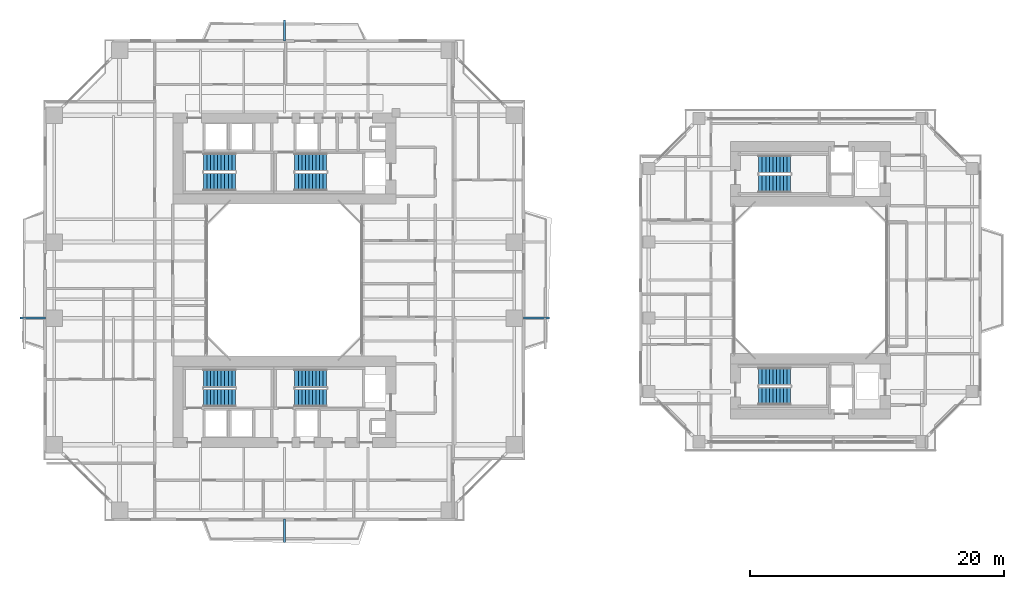
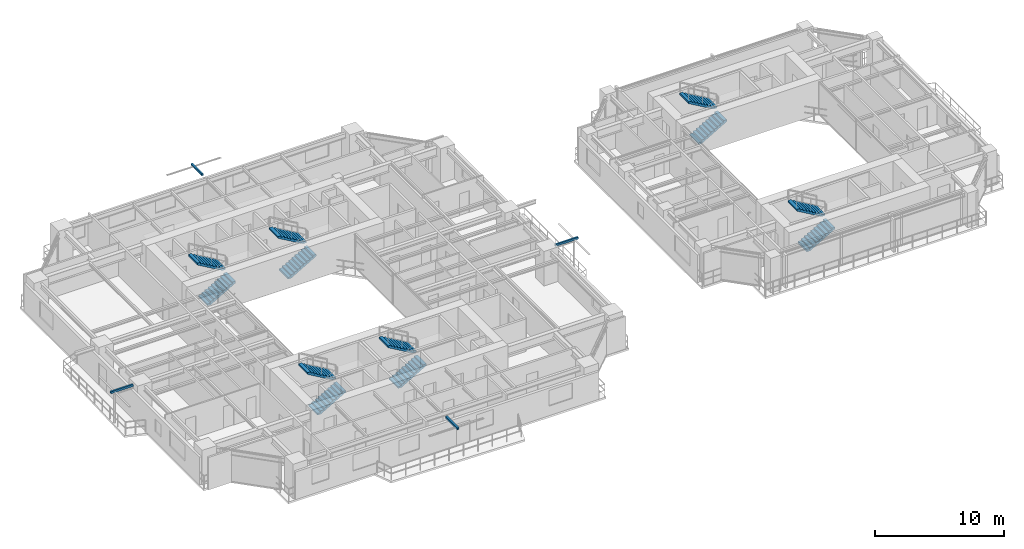
# One storey, part 18 of 23: 12 stair flights, 4 discrete accessories, 6 elements without a shape of their own.
"""IFC4 building model written with IfcOpenShell, lengths in metres."""

from ifc_helpers import new_model, si_unit, direction, frame, origin, origin_2d, place, context, subcontext, project, spatial, polyline, rectangle, outline, extrude, source, transform, mapped, material, type_object, element, aggregate, save


model = new_model("IFC4")

# Units and contexts
model_context = context("Model", 3, precision=1e-05, world=origin(), true_north=direction((0.0, 1.0)))
body_context = subcontext(model_context, "Body", "Model", "MODEL_VIEW")
ifc_project = project(units=[si_unit("LENGTHUNIT", "METRE"), si_unit("AREAUNIT", "SQUARE_METRE"), si_unit("VOLUMEUNIT", "CUBIC_METRE"), si_unit("PLANEANGLEUNIT", "RADIAN"), si_unit("MASSUNIT", "GRAM", prefix="KILO"), si_unit("THERMODYNAMICTEMPERATUREUNIT", "KELVIN"), si_unit("POWERUNIT", "WATT")], contexts=[model_context])

# Site, building, storey
site_placement = place(None, origin())
site = spatial("IfcSite", under=ifc_project, at=site_placement, CompositionType="ELEMENT")
building_placement = place(site_placement, origin())
building = spatial("IfcBuilding", under=site, at=building_placement, Name="Qiaomeng Ring Towers", CompositionType="ELEMENT")
storey_placement = place(building_placement, frame((0.0, 0.0, 29.5)))
storey = spatial("IfcBuildingStorey", under=building, at=storey_placement, Name="L07", CompositionType="ELEMENT", Elevation=29.5)

# Stair, stair flights
ifc_material_1 = material(Name="Precast concrete C40", Category="concrete")
stair_type = type_object("IfcStairType", Name="ARC-ST-325", PredefinedType="HALF_TURN_STAIR", material=ifc_material_1)
stair_1_placement = place(storey_placement, origin())
stair_1 = element("IfcStair", 1, at=stair_1_placement, inside=storey, type_object=stair_type, Name="L07 Tower 1 North Stair 1", PredefinedType="HALF_TURN_STAIR")
stair_flight_type = type_object("IfcStairFlightType", Name="ARC-ST-325-FL", PredefinedType="STRAIGHT", material=ifc_material_1)
shared_shape_1 = source(origin(), body_context, "Body", "SweptSolid", [
    extrude(outline(polyline([(0.0, 0.0), (0.0, 0.16259765625), (0.280029296875, 0.16259765625), (0.280029296875, 0.324951171875), (0.56005859375, 0.324951171875), (0.56005859375, 0.487548828125), (0.840087890625, 0.487548828125), (0.840087890625, 0.64990234375), (1.1201171875, 0.64990234375), (1.1201171875, 0.8125), (1.39990234375, 0.8125), (1.39990234375, 0.97509765625), (1.679931640625, 0.97509765625), (1.679931640625, 1.137451171875), (1.9599609375, 1.137451171875), (1.9599609375, 1.300048828125), (2.239990234375, 1.300048828125), (2.239990234375, 1.46240234375), (2.52001953125, 1.46240234375), (2.52001953125, 1.625), (2.52001953125, 1.2890625), (0.298583984375, 0.0), (0.0, 0.0)])), frame((0.0, 0.699951171875, 0.0), z_axis=(0.0, -1.0, 0.0), x_axis=(1.0, 0.0, 0.0)), (0.0, 0.0, 1.0), 1.39990234375),
])
stair_flight_1_placement = place(storey_placement, frame((12.6201171875, 30.75, 0.0), z_axis=(0.0, 0.0, 1.0), x_axis=(1.0, 0.0, 0.0)))
stair_flight_1 = element("IfcStairFlight", 2, at=stair_flight_1_placement, type_object=stair_flight_type, Name="ST1 flight 1", NumberOfRisers=10, NumberOfTreads=9, PredefinedType="STRAIGHT", RiserHeight=0.1625, TreadLength=0.28, context=body_context, shape_type="MappedRepresentation", body=[
    mapped(shared_shape_1, transform((0.0, 0.0, 0.0), x_axis=(1.0, 0.0, 0.0), y_axis=(0.0, 1.0, 0.0), z_axis=(0.0, 0.0, 1.0), scale=1.0)),
])
stair_flight_2_placement = place(storey_placement, frame((15.139892578125, 32.2900390625, 1.625), z_axis=(0.0, 0.0, 1.0), x_axis=(-1.0, 0.0, 0.0)))
stair_flight_2 = element("IfcStairFlight", 3, at=stair_flight_2_placement, type_object=stair_flight_type, Name="ST1 flight 2", NumberOfRisers=10, NumberOfTreads=9, PredefinedType="STRAIGHT", RiserHeight=0.1625, TreadLength=0.28, context=body_context, shape_type="MappedRepresentation", body=[
    mapped(shared_shape_1, transform((0.0, 0.0, 0.0), x_axis=(1.0, 0.0, 0.0), y_axis=(0.0, 1.0, 0.0), z_axis=(0.0, 0.0, 1.0), scale=1.0)),
])
aggregate(stair_1, [stair_flight_1, stair_flight_2])

stair_2_placement = place(storey_placement, origin())
stair_2 = element("IfcStair", 4, at=stair_2_placement, inside=storey, type_object=stair_type, Name="L07 Tower 1 North Stair 2", PredefinedType="HALF_TURN_STAIR")
stair_flight_3_placement = place(storey_placement, frame((19.820068359375, 30.75, 0.0), z_axis=(0.0, 0.0, 1.0), x_axis=(1.0, 0.0, 0.0)))
stair_flight_3 = element("IfcStairFlight", 5, at=stair_flight_3_placement, type_object=stair_flight_type, Name="ST2 flight 1", NumberOfRisers=10, NumberOfTreads=9, PredefinedType="STRAIGHT", RiserHeight=0.1625, TreadLength=0.28, context=body_context, shape_type="MappedRepresentation", body=[
    mapped(shared_shape_1, transform((0.0, 0.0, 0.0), x_axis=(1.0, 0.0, 0.0), y_axis=(0.0, 1.0, 0.0), z_axis=(0.0, 0.0, 1.0), scale=1.0)),
])
stair_flight_4_placement = place(storey_placement, frame((22.340087890625, 32.2900390625, 1.625), z_axis=(0.0, 0.0, 1.0), x_axis=(-1.0, 0.0, 0.0)))
stair_flight_4 = element("IfcStairFlight", 6, at=stair_flight_4_placement, type_object=stair_flight_type, Name="ST2 flight 2", NumberOfRisers=10, NumberOfTreads=9, PredefinedType="STRAIGHT", RiserHeight=0.1625, TreadLength=0.28, context=body_context, shape_type="MappedRepresentation", body=[
    mapped(shared_shape_1, transform((0.0, 0.0, 0.0), x_axis=(1.0, 0.0, 0.0), y_axis=(0.0, 1.0, 0.0), z_axis=(0.0, 0.0, 1.0), scale=1.0)),
])
aggregate(stair_2, [stair_flight_3, stair_flight_4])

stair_3_placement = place(storey_placement, origin())
stair_3 = element("IfcStair", 7, at=stair_3_placement, inside=storey, type_object=stair_type, Name="L07 Tower 1 South Stair 3", PredefinedType="HALF_TURN_STAIR")
stair_flight_5_placement = place(storey_placement, frame((12.6201171875, 13.7099609375, 0.0), z_axis=(0.0, 0.0, 1.0), x_axis=(1.0, 0.0, 0.0)))
stair_flight_5 = element("IfcStairFlight", 8, at=stair_flight_5_placement, type_object=stair_flight_type, Name="ST3 flight 1", NumberOfRisers=10, NumberOfTreads=9, PredefinedType="STRAIGHT", RiserHeight=0.1625, TreadLength=0.28, context=body_context, shape_type="MappedRepresentation", body=[
    mapped(shared_shape_1, transform((0.0, 0.0, 0.0), x_axis=(1.0, 0.0, 0.0), y_axis=(0.0, 1.0, 0.0), z_axis=(0.0, 0.0, 1.0), scale=1.0)),
])
stair_flight_6_placement = place(storey_placement, frame((15.139892578125, 15.25, 1.625), z_axis=(0.0, 0.0, 1.0), x_axis=(-1.0, 0.0, 0.0)))
stair_flight_6 = element("IfcStairFlight", 9, at=stair_flight_6_placement, type_object=stair_flight_type, Name="ST3 flight 2", NumberOfRisers=10, NumberOfTreads=9, PredefinedType="STRAIGHT", RiserHeight=0.1625, TreadLength=0.28, context=body_context, shape_type="MappedRepresentation", body=[
    mapped(shared_shape_1, transform((0.0, 0.0, 0.0), x_axis=(1.0, 0.0, 0.0), y_axis=(0.0, 1.0, 0.0), z_axis=(0.0, 0.0, 1.0), scale=1.0)),
])
aggregate(stair_3, [stair_flight_5, stair_flight_6])

stair_4_placement = place(storey_placement, origin())
stair_4 = element("IfcStair", 10, at=stair_4_placement, inside=storey, type_object=stair_type, Name="L07 Tower 1 South Stair 4", PredefinedType="HALF_TURN_STAIR")
stair_flight_7_placement = place(storey_placement, frame((19.820068359375, 13.7099609375, 0.0), z_axis=(0.0, 0.0, 1.0), x_axis=(1.0, 0.0, 0.0)))
stair_flight_7 = element("IfcStairFlight", 11, at=stair_flight_7_placement, type_object=stair_flight_type, Name="ST4 flight 1", NumberOfRisers=10, NumberOfTreads=9, PredefinedType="STRAIGHT", RiserHeight=0.1625, TreadLength=0.28, context=body_context, shape_type="MappedRepresentation", body=[
    mapped(shared_shape_1, transform((0.0, 0.0, 0.0), x_axis=(1.0, 0.0, 0.0), y_axis=(0.0, 1.0, 0.0), z_axis=(0.0, 0.0, 1.0), scale=1.0)),
])
stair_flight_8_placement = place(storey_placement, frame((22.340087890625, 15.25, 1.625), z_axis=(0.0, 0.0, 1.0), x_axis=(-1.0, 0.0, 0.0)))
stair_flight_8 = element("IfcStairFlight", 12, at=stair_flight_8_placement, type_object=stair_flight_type, Name="ST4 flight 2", NumberOfRisers=10, NumberOfTreads=9, PredefinedType="STRAIGHT", RiserHeight=0.1625, TreadLength=0.28, context=body_context, shape_type="MappedRepresentation", body=[
    mapped(shared_shape_1, transform((0.0, 0.0, 0.0), x_axis=(1.0, 0.0, 0.0), y_axis=(0.0, 1.0, 0.0), z_axis=(0.0, 0.0, 1.0), scale=1.0)),
])
aggregate(stair_4, [stair_flight_7, stair_flight_8])

stair_5_placement = place(storey_placement, origin())
stair_5 = element("IfcStair", 13, at=stair_5_placement, inside=storey, type_object=stair_type, Name="L07 Companion North Stair 5", PredefinedType="HALF_TURN_STAIR")
stair_flight_9_placement = place(storey_placement, frame((56.419921875, 30.60009765625, 0.0), z_axis=(0.0, 0.0, 1.0), x_axis=(1.0, 0.0, 0.0)))
stair_flight_9 = element("IfcStairFlight", 14, at=stair_flight_9_placement, type_object=stair_flight_type, Name="ST5 flight 1", NumberOfRisers=10, NumberOfTreads=9, PredefinedType="STRAIGHT", RiserHeight=0.1625, TreadLength=0.28, context=body_context, shape_type="MappedRepresentation", body=[
    mapped(shared_shape_1, transform((0.0, 0.0, 0.0), x_axis=(1.0, 0.0, 0.0), y_axis=(0.0, 1.0, 0.0), z_axis=(0.0, 0.0, 1.0), scale=1.0)),
])
stair_flight_10_placement = place(storey_placement, frame((58.93994140625, 32.139892578125, 1.625), z_axis=(0.0, 0.0, 1.0), x_axis=(-1.0, 0.0, 0.0)))
stair_flight_10 = element("IfcStairFlight", 15, at=stair_flight_10_placement, type_object=stair_flight_type, Name="ST5 flight 2", NumberOfRisers=10, NumberOfTreads=9, PredefinedType="STRAIGHT", RiserHeight=0.1625, TreadLength=0.28, context=body_context, shape_type="MappedRepresentation", body=[
    mapped(shared_shape_1, transform((0.0, 0.0, 0.0), x_axis=(1.0, 0.0, 0.0), y_axis=(0.0, 1.0, 0.0), z_axis=(0.0, 0.0, 1.0), scale=1.0)),
])
aggregate(stair_5, [stair_flight_9, stair_flight_10])

stair_6_placement = place(storey_placement, origin())
stair_6 = element("IfcStair", 16, at=stair_6_placement, inside=storey, type_object=stair_type, Name="L07 Companion South Stair 6", PredefinedType="HALF_TURN_STAIR")
stair_flight_11_placement = place(storey_placement, frame((56.419921875, 13.860107421875, 0.0), z_axis=(0.0, 0.0, 1.0), x_axis=(1.0, 0.0, 0.0)))
stair_flight_11 = element("IfcStairFlight", 17, at=stair_flight_11_placement, type_object=stair_flight_type, Name="ST6 flight 1", NumberOfRisers=10, NumberOfTreads=9, PredefinedType="STRAIGHT", RiserHeight=0.1625, TreadLength=0.28, context=body_context, shape_type="MappedRepresentation", body=[
    mapped(shared_shape_1, transform((0.0, 0.0, 0.0), x_axis=(1.0, 0.0, 0.0), y_axis=(0.0, 1.0, 0.0), z_axis=(0.0, 0.0, 1.0), scale=1.0)),
])
stair_flight_12_placement = place(storey_placement, frame((58.93994140625, 15.39990234375, 1.625), z_axis=(0.0, 0.0, 1.0), x_axis=(-1.0, 0.0, 0.0)))
stair_flight_12 = element("IfcStairFlight", 18, at=stair_flight_12_placement, type_object=stair_flight_type, Name="ST6 flight 2", NumberOfRisers=10, NumberOfTreads=9, PredefinedType="STRAIGHT", RiserHeight=0.1625, TreadLength=0.28, context=body_context, shape_type="MappedRepresentation", body=[
    mapped(shared_shape_1, transform((0.0, 0.0, 0.0), x_axis=(1.0, 0.0, 0.0), y_axis=(0.0, 1.0, 0.0), z_axis=(0.0, 0.0, 1.0), scale=1.0)),
])
aggregate(stair_6, [stair_flight_11, stair_flight_12])

# Discrete accessories
ifc_material_2 = material(Name="Stainless steel 316", Category="steel")
discrete_accessory_type = type_object("IfcDiscreteAccessoryType", Name="ARC-ACC-BRACKET", PredefinedType="BRACKET", material=ifc_material_2)
shared_shape_2 = source(origin(), body_context, "Body", "SweptSolid", [
    extrude(rectangle(XDim=0.159912109375, YDim=1.85009765625, at=origin_2d()), origin(), (0.0, 0.0, 1.0), 0.179931640625),
])
discrete_accessory_1_placement = place(storey_placement, frame((19.0, 3.22509765625, 2.89990234375), z_axis=(0.0, 0.0, 1.0), x_axis=(1.0, 0.0, 0.0)))
element("IfcDiscreteAccessory", 19, at=discrete_accessory_1_placement, inside=storey, type_object=discrete_accessory_type, Name="L07 Stainless Outer-Skin Tie Bracket S", PredefinedType="BRACKET", context=body_context, shape_type="MappedRepresentation", body=[
    mapped(shared_shape_2, transform((0.0, 0.0, 0.0), x_axis=(1.0, 0.0, 0.0), y_axis=(0.0, 1.0, 0.0), z_axis=(0.0, 0.0, 1.0), scale=1.0)),
])
shared_shape_3 = source(origin(), body_context, "Body", "SweptSolid", [
    extrude(rectangle(XDim=0.159912109375, YDim=1.669921875, at=origin_2d()), origin(), (0.0, 0.0, 1.0), 0.179931640625),
])
discrete_accessory_2_placement = place(storey_placement, frame((19.0, 42.68505859375, 2.89990234375), z_axis=(0.0, 0.0, 1.0), x_axis=(1.0, 0.0, 0.0)))
element("IfcDiscreteAccessory", 20, at=discrete_accessory_2_placement, inside=storey, type_object=discrete_accessory_type, Name="L07 Stainless Outer-Skin Tie Bracket N", PredefinedType="BRACKET", context=body_context, shape_type="MappedRepresentation", body=[
    mapped(shared_shape_3, transform((0.0, 0.0, 0.0), x_axis=(1.0, 0.0, 0.0), y_axis=(0.0, 1.0, 0.0), z_axis=(0.0, 0.0, 1.0), scale=1.0)),
])
shared_shape_4 = source(origin(), body_context, "Body", "SweptSolid", [
    extrude(rectangle(XDim=2.0, YDim=0.159912109375, at=origin_2d()), origin(), (0.0, 0.0, 1.0), 0.179931640625),
])
discrete_accessory_3_placement = place(storey_placement, frame((-0.85009765625, 20.0, 2.89990234375), z_axis=(0.0, 0.0, 1.0), x_axis=(1.0, 0.0, 0.0)))
element("IfcDiscreteAccessory", 21, at=discrete_accessory_3_placement, inside=storey, type_object=discrete_accessory_type, Name="L07 Stainless Outer-Skin Tie Bracket W", PredefinedType="BRACKET", context=body_context, shape_type="MappedRepresentation", body=[
    mapped(shared_shape_4, transform((0.0, 0.0, 0.0), x_axis=(1.0, 0.0, 0.0), y_axis=(0.0, 1.0, 0.0), z_axis=(0.0, 0.0, 1.0), scale=1.0)),
])
shared_shape_5 = source(origin(), body_context, "Body", "SweptSolid", [
    extrude(rectangle(XDim=2.070068359375, YDim=0.159912109375, at=origin_2d()), origin(), (0.0, 0.0, 1.0), 0.179931640625),
])
discrete_accessory_4_placement = place(storey_placement, frame((38.885009765625, 20.0, 2.89990234375), z_axis=(0.0, 0.0, 1.0), x_axis=(1.0, 0.0, 0.0)))
element("IfcDiscreteAccessory", 22, at=discrete_accessory_4_placement, inside=storey, type_object=discrete_accessory_type, Name="L07 Stainless Outer-Skin Tie Bracket E", PredefinedType="BRACKET", context=body_context, shape_type="MappedRepresentation", body=[
    mapped(shared_shape_5, transform((0.0, 0.0, 0.0), x_axis=(1.0, 0.0, 0.0), y_axis=(0.0, 1.0, 0.0), z_axis=(0.0, 0.0, 1.0), scale=1.0)),
])

save(model, "model.ifc")
